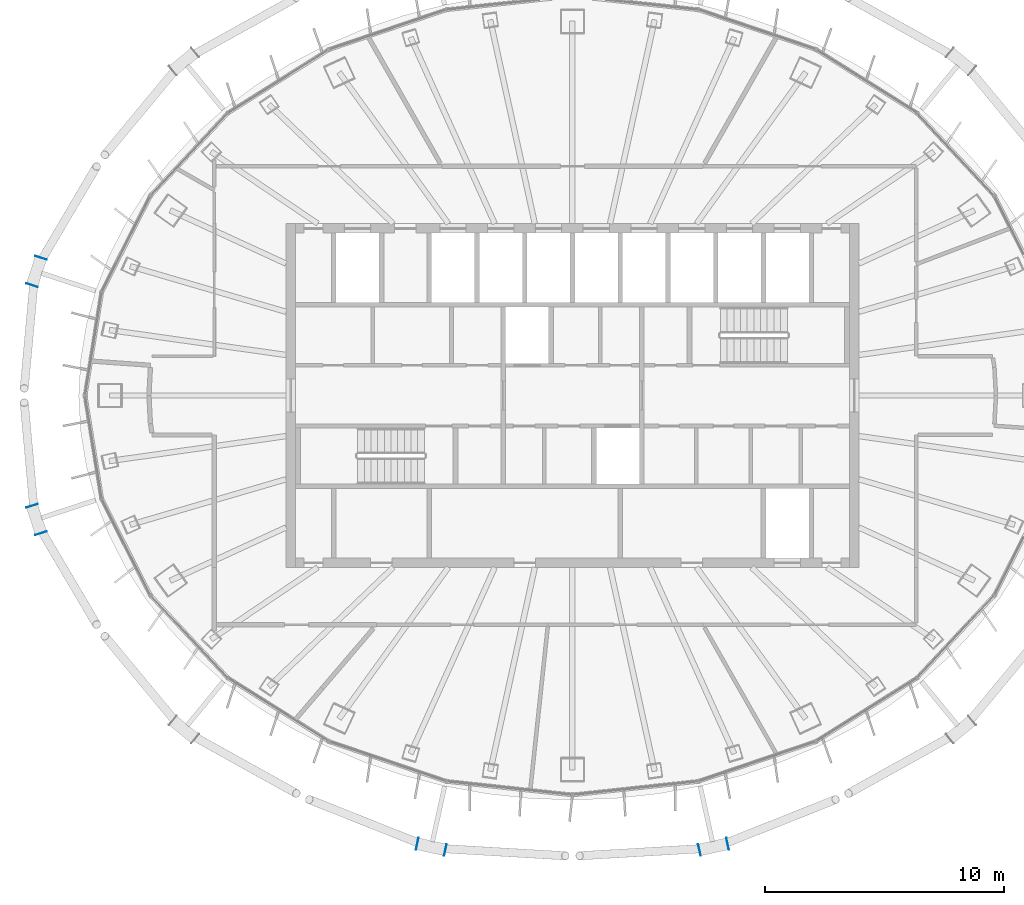
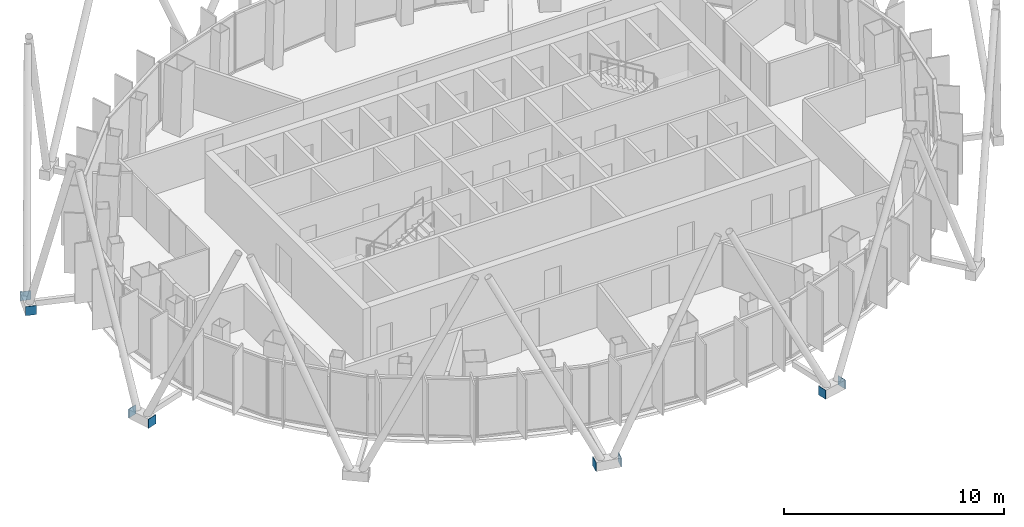
# One storey, part 13 of 18: 8 discrete accessories.
"""IFC4 building model written with IfcOpenShell, lengths in metres."""

from ifc_helpers import new_model, si_unit, direction, frame, origin, origin_2d, place, context, subcontext, project, spatial, rectangle, extrude, material, layer, layer_set, type_object, element, save


model = new_model("IFC4")

# Units and contexts
model_context = context("Model", 3, precision=1e-05, world=origin(), true_north=direction((0.0, 1.0)))
body_context = subcontext(model_context, "Body", "Model", "MODEL_VIEW")
ifc_project = project(units=[si_unit("LENGTHUNIT", "METRE"), si_unit("AREAUNIT", "SQUARE_METRE"), si_unit("VOLUMEUNIT", "CUBIC_METRE"), si_unit("PLANEANGLEUNIT", "RADIAN"), si_unit("MASSUNIT", "GRAM", prefix="KILO")], contexts=[model_context])

# Site, building, storey
site_placement = place(None, origin())
site = spatial("IfcSite", under=ifc_project, at=site_placement, CompositionType="ELEMENT")
building_placement = place(site_placement, origin())
building = spatial("IfcBuilding", under=site, at=building_placement, Name="Siaravel Broadcast Tower", CompositionType="ELEMENT")
storey_placement = place(building_placement, frame((0.0, 0.0, 261.5)))
storey = spatial("IfcBuildingStorey", under=building, at=storey_placement, Name="L64", CompositionType="ELEMENT", Elevation=261.5)

# Discrete accessories
ifc_material = material(Name="Steel S355", Category="steel")
ifc_layer = layer(ifc_material, 0.02001953125)
ifc_layer_set = layer_set([ifc_layer], Name="Steel S355")
discrete_accessory_type = type_object("IfcDiscreteAccessoryType", Name="Steel end plate 20 mm", PredefinedType="USERDEFINED", material=ifc_layer_set)
for number, where, z_axis, x_axis, name in (
    (1, (-22.6376953125, 4.619873046875, -0.449951171875), (0.0, 0.0, 1.0), (-0.310908675, -0.950439791, 0.0), "End plate R26 station 33A"),
    (2, (-22.262451171875, 5.766845703125, -0.449951171875), (0.0, 0.0, 1.0), (-0.310908675, -0.950439791, 0.0), "End plate R26 station 33B"),
    (3, (-22.262451171875, -5.766845703125, -0.449951171875), (0.0, 0.0, 1.0), (0.310908675, -0.950439791, 0.0), "End plate R26 station 39A"),
    (4, (-22.6376953125, -4.619873046875, -0.449951171875), (0.0, 0.0, 1.0), (0.310908675, -0.950439791, 0.0), "End plate R26 station 39B"),
    (5, (-5.3212890625, -19.033935546875, -0.449951171875), (0.0, 0.0, 1.0), (0.976750917, -0.214377344, 0.0), "End plate R26 station 51A"),
    (6, (-6.5, -18.775146484375, -0.449951171875), (0.0, 0.0, 1.0), (0.976750917, -0.214377344, 0.0), "End plate R26 station 51B"),
    (7, (6.5, -18.775146484375, -0.449951171875), (0.0, 0.0, 1.0), (0.976750917, 0.214377344, 0.0), "End plate R26 station 57A"),
    (8, (5.3212890625, -19.033935546875, -0.449951171875), (0.0, 0.0, 1.0), (0.976750917, 0.214377344, 0.0), "End plate R26 station 57B"),
):
    element("IfcDiscreteAccessory", number, at=place(storey_placement, frame(where, z_axis=z_axis, x_axis=x_axis)), inside=storey, type_object=discrete_accessory_type, Name=name, ObjectType="END PLATE", PredefinedType="USERDEFINED", context=body_context, shape_type="SweptSolid", body=[
        extrude(rectangle(XDim=0.02001953125, YDim=0.5, at=origin_2d()), origin(), (0.0, 0.0, 1.0), 0.5),
    ])

save(model, "model.ifc")
